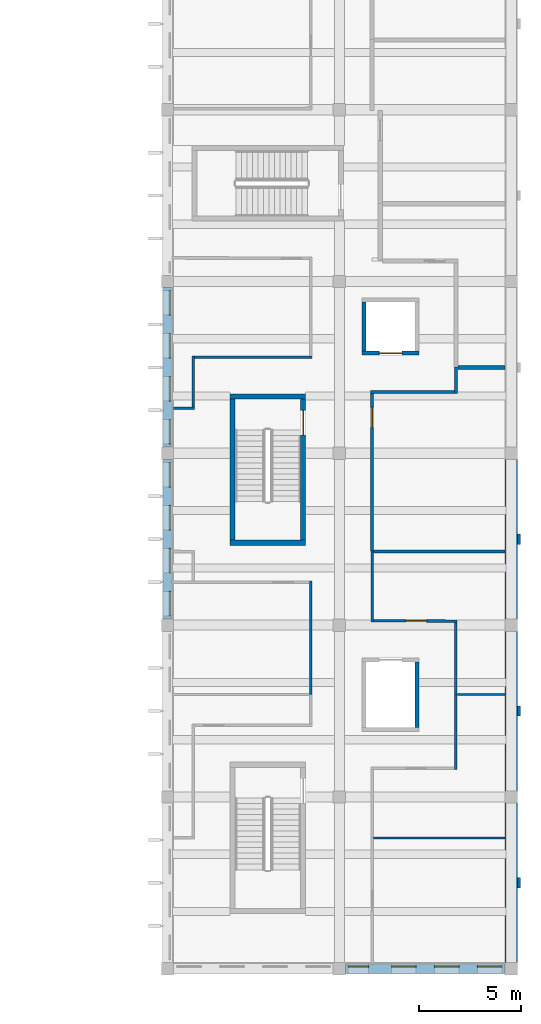
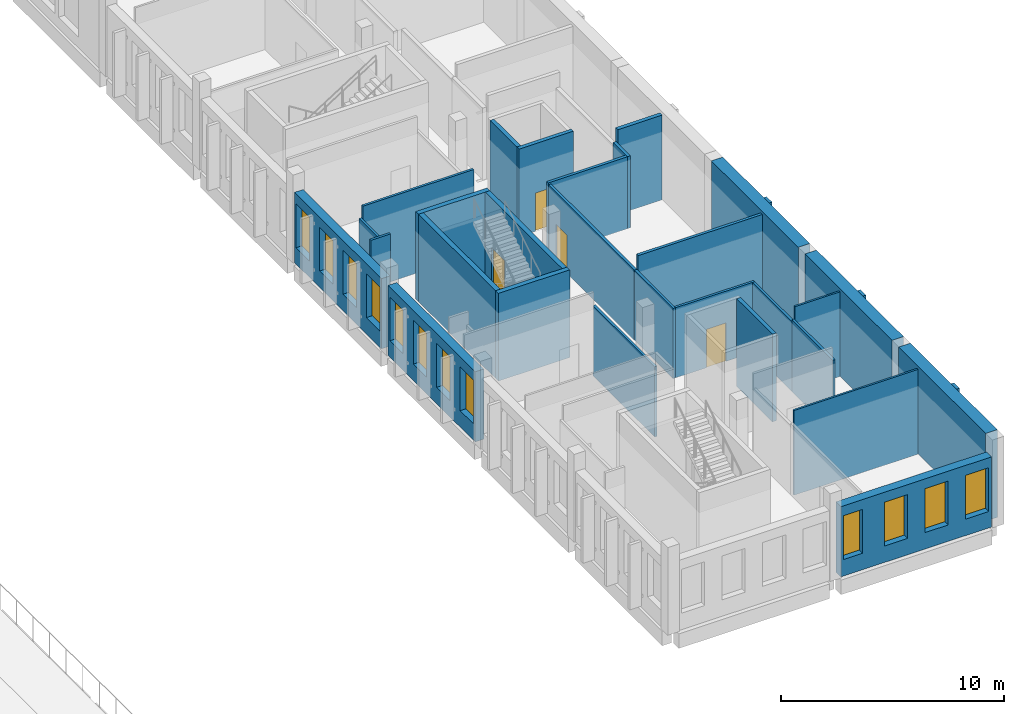
# One storey, part 56 of 103: 31 walls, 12 windows, 4 doors, 16 openings.
"""IFC4 building model written with IfcOpenShell, lengths in metres."""

from ifc_helpers import new_model, si_unit, direction, frame, frame_2d, origin, place, context, subcontext, project, spatial, rectangle, extrude, material, layer, layer_set, type_object, element, fill, save


model = new_model("IFC4")

# Units and contexts
model_context = context("Model", 3, precision=1e-05, world=origin(), true_north=direction((0.0, 1.0)))
body_context = subcontext(model_context, "Body", "Model", "MODEL_VIEW")
ifc_project = project(units=[si_unit("LENGTHUNIT", "METRE"), si_unit("AREAUNIT", "SQUARE_METRE"), si_unit("VOLUMEUNIT", "CUBIC_METRE"), si_unit("PLANEANGLEUNIT", "RADIAN"), si_unit("MASSUNIT", "GRAM", prefix="KILO")], contexts=[model_context])

# Site, building, storey
site_placement = place(None, origin())
site = spatial("IfcSite", under=ifc_project, at=site_placement, CompositionType="ELEMENT")
building_placement = place(site_placement, origin())
building = spatial("IfcBuilding", under=site, at=building_placement, Name="Larchfold Concert Hall", CompositionType="ELEMENT")
storey_placement = place(building_placement, frame((0.0, 0.0, 9.60009765625)))
storey = spatial("IfcBuildingStorey", under=building, at=storey_placement, Name="L02", CompositionType="ELEMENT", Elevation=9.60009765625)

# Walls
ifc_material_1 = material(Name="Plasterboard partition on steel studs", Category="steel")
ifc_layer_1 = layer(ifc_material_1, 0.199951171875)
ifc_layer_set_1 = layer_set([ifc_layer_1], Name="Plasterboard partition on steel studs")
wall_type_1 = type_object("IfcWallType", Name="Acoustic partition 200", PredefinedType="PARTITIONING", material=ifc_layer_set_1)
wall_1_placement = place(storey_placement, frame((98.800048828125, 30.0, 0.0), z_axis=(0.0, 0.0, 1.0), x_axis=(1.0, 0.0, 0.0)))
element("IfcWall", 1, at=wall_1_placement, inside=storey, type_object=wall_type_1, Name="Partition IW0053", PredefinedType="PARTITIONING", context=body_context, shape_type="SweptSolid", body=[
    extrude(rectangle(XDim=2.300048828125, YDim=0.199951171875, at=frame_2d((1.14990234375, 0.0))), origin(), (0.0, 0.0, 1.0), 4.639892578125),
])
ifc_material_2 = material(Name="Plasterboard partition on steel studs", Category="steel")
ifc_layer_2 = layer(ifc_material_2, 0.125)
ifc_layer_set_2 = layer_set([ifc_layer_2], Name="Plasterboard partition on steel studs")
wall_type_2 = type_object("IfcWallType", Name="Corridor partition 125 EI 60", PredefinedType="PARTITIONING", material=ifc_layer_set_2)
wall_2_placement = place(storey_placement, frame((91.60107421875, 14.02001953125, 0.0), z_axis=(0.0, 0.0, 1.0), x_axis=(-0.000396650476, 0.999999921334, 0.0)))
element("IfcWall", 2, at=wall_2_placement, inside=storey, type_object=wall_type_2, Name="Partition IW0020", PredefinedType="PARTITIONING", context=body_context, shape_type="SweptSolid", body=[
    extrude(rectangle(XDim=5.53955078125, YDim=0.125, at=frame_2d((2.769775390625, 0.0))), origin(), (0.0, 0.0, 1.0), 3.840087890625),
])
wall_3_placement = place(storey_placement, frame((98.698974609375, 14.02001953125, 0.0), z_axis=(0.0, 0.0, 1.0), x_axis=(0.0, -1.0, 0.0)))
element("IfcWall", 3, at=wall_3_placement, inside=storey, type_object=wall_type_2, Name="Partition IW0024", PredefinedType="PARTITIONING", context=body_context, shape_type="SweptSolid", body=[
    extrude(rectangle(XDim=3.681640625, YDim=0.125, at=frame_2d((1.8408203125, 0.0))), origin(), (0.0, 0.0, 1.0), 3.939697265625),
])
wall_4_placement = place(storey_placement, frame((94.59912109375, 21.02001953125, 0.0), z_axis=(0.0, 0.0, 1.0), x_axis=(0.0, -1.0, 0.0)))
element("IfcWall", 4, at=wall_4_placement, inside=storey, type_object=wall_type_2, Name="Partition IW0027", PredefinedType="PARTITIONING", context=body_context, shape_type="SweptSolid", body=[
    extrude(rectangle(XDim=3.4736328125, YDim=0.125, at=frame_2d((1.73681640625, 0.0))), origin(), (0.0, 0.0, 1.0), 3.840087890625),
])

# Wall, opening, door
wall_5_placement = place(storey_placement, frame((94.66162109375, 17.60888671875, 0.0), z_axis=(0.0, 0.0, 1.0), x_axis=(0.999997019568, -0.002441486203, 0.0)))
wall_5 = element("IfcWall", 5, at=wall_5_placement, inside=storey, type_object=wall_type_2, Name="Partition IW0028", PredefinedType="PARTITIONING", context=body_context, shape_type="SweptSolid", body=[
    extrude(rectangle(XDim=4.099853515625, YDim=0.125, at=frame_2d((2.0498046875, 0.0))), origin(), (0.0, 0.0, 1.0), 3.840087890625),
])
opening_1_placement = place(wall_5_placement, frame((1.59814453125, 0.0, 0.0)))
opening_1 = element("IfcOpeningElement", 6, at=opening_1_placement, cuts=wall_5, Name="Opening D-L02-112", PredefinedType="OPENING", context=body_context, shape_type="SweptSolid", body=[
    extrude(rectangle(XDim=1.0, YDim=2.10009765625, at=frame_2d((0.5, 1.050048828125))), frame((0.0, 0.072509765625, 0.0), z_axis=(0.0, -1.0, 0.0), x_axis=(1.0, 0.0, 0.0)), (0.0, 0.0, 1.0), 0.14501953125),
])
ifc_material_3 = material(Name="Timber door leaf", Category="wood")
door_type_1 = type_object("IfcDoorType", Name="Room door 1000 x 2100 FD30S", OperationType="SINGLE_SWING_LEFT", PredefinedType="DOOR", material=ifc_material_3)
door_1_placement = place(opening_1_placement, origin())
door_1 = element("IfcDoor", 7, at=door_1_placement, inside=storey, type_object=door_type_1, Name="Door D-L02-112", OperationType="SINGLE_SWING_RIGHT", OverallHeight=2.10009765625, OverallWidth=1.0, PredefinedType="DOOR", context=body_context, shape_type="SweptSolid", body=[
    extrude(rectangle(XDim=1.0, YDim=2.10009765625, at=frame_2d((0.5, 1.050048828125))), frame((0.0, 0.02490234375, 0.0), z_axis=(0.0, -1.0, 0.0), x_axis=(1.0, 0.0, 0.0)), (0.0, 0.0, 1.0), 0.050048828125),
])
fill(opening_1, door_1)

# Walls
wall_6_placement = place(storey_placement, frame((98.698974609375, 17.53662109375, 0.0), z_axis=(0.0, 0.0, 1.0), x_axis=(0.0, -1.0, 0.0)))
element("IfcWall", 8, at=wall_6_placement, inside=storey, type_object=wall_type_2, Name="Partition IW0029", PredefinedType="PARTITIONING", context=body_context, shape_type="SweptSolid", body=[
    extrude(rectangle(XDim=3.5166015625, YDim=0.125, at=frame_2d((1.75830078125, 0.0))), origin(), (0.0, 0.0, 1.0), 3.840087890625),
])
wall_7_placement = place(storey_placement, frame((84.89990234375, 28.0, 0.0), z_axis=(0.0, 0.0, 1.0), x_axis=(0.999980356159, 0.006267957874, 0.0)))
element("IfcWall", 9, at=wall_7_placement, inside=storey, type_object=wall_type_2, Name="Partition IW0033", PredefinedType="PARTITIONING", context=body_context, shape_type="SweptSolid", body=[
    extrude(rectangle(XDim=1.0126953125, YDim=0.125, at=frame_2d((0.50634765625, 0.0))), origin(), (0.0, 0.0, 1.0), 4.639892578125),
])
wall_8_placement = place(storey_placement, frame((85.85009765625, 28.068603515625, 0.0), z_axis=(0.0, 0.0, 1.0), x_axis=(0.000391734374, 0.999999923272, 0.0)))
element("IfcWall", 10, at=wall_8_placement, inside=storey, type_object=wall_type_2, Name="Partition IW0034", PredefinedType="PARTITIONING", context=body_context, shape_type="SweptSolid", body=[
    extrude(rectangle(XDim=2.492919921875, YDim=0.125, at=frame_2d((1.24658203125, 0.0))), origin(), (0.0, 0.0, 1.0), 3.939697265625),
])
wall_9_placement = place(storey_placement, frame((85.91357421875, 30.4990234375, 0.0), z_axis=(0.0, 0.0, 1.0), x_axis=(0.999999942227, 0.00033991925, 0.0)))
element("IfcWall", 11, at=wall_9_placement, inside=storey, type_object=wall_type_2, Name="Partition IW0035", PredefinedType="PARTITIONING", context=body_context, shape_type="SweptSolid", body=[
    extrude(rectangle(XDim=5.745849609375, YDim=0.125, at=frame_2d((2.873046875, 0.0))), origin(), (0.0, 0.0, 1.0), 4.639892578125),
])
ifc_material_4 = material(Name="Plasterboard partition on steel studs", Category="steel")
ifc_layer_3 = layer(ifc_material_4, 0.14990234375)
ifc_layer_set_3 = layer_set([ifc_layer_3], Name="Plasterboard partition on steel studs")
wall_type_3 = type_object("IfcWallType", Name="Shaft and plant partition 150 EI 120", PredefinedType="PARTITIONING", material=ifc_layer_set_3)
wall_10_placement = place(storey_placement, frame((98.698974609375, 30.02001953125, 0.0), z_axis=(0.0, 0.0, 1.0), x_axis=(0.0, -1.0, 0.0)))
element("IfcWall", 12, at=wall_10_placement, inside=storey, type_object=wall_type_3, Name="Partition IW0030", PredefinedType="PARTITIONING", context=body_context, shape_type="SweptSolid", body=[
    extrude(rectangle(XDim=1.2939453125, YDim=0.14990234375, at=frame_2d((0.64697265625, 0.0))), origin(), (0.0, 0.0, 1.0), 3.939697265625),
])
wall_11_placement = place(storey_placement, frame((98.6240234375, 28.80078125, 0.0), z_axis=(0.0, 0.0, 1.0), x_axis=(-0.999997573035, -0.002203162451, 0.0)))
element("IfcWall", 13, at=wall_11_placement, inside=storey, type_object=wall_type_3, Name="Partition IW0031", PredefinedType="PARTITIONING", context=body_context, shape_type="SweptSolid", body=[
    extrude(rectangle(XDim=4.10009765625, YDim=0.14990234375, at=frame_2d((2.050048828125, 0.0))), origin(), (0.0, 0.0, 1.0), 3.939697265625),
])

# Wall, opening, door
wall_12_placement = place(storey_placement, frame((94.59912109375, 28.717041015625, 0.0), z_axis=(0.0, 0.0, 1.0), x_axis=(0.0, -1.0, 0.0)))
wall_12 = element("IfcWall", 14, at=wall_12_placement, inside=storey, type_object=wall_type_3, Name="Partition IW0032", PredefinedType="PARTITIONING", context=body_context, shape_type="SweptSolid", body=[
    extrude(rectangle(XDim=7.697021484375, YDim=0.14990234375, at=frame_2d((3.8486328125, 0.0))), origin(), (0.0, 0.0, 1.0), 3.840087890625),
])
opening_2_placement = place(wall_12_placement, frame((0.6669921875, 0.0, 0.0)))
opening_2 = element("IfcOpeningElement", 15, at=opening_2_placement, cuts=wall_12, Name="Opening D-L02-113", PredefinedType="OPENING", context=body_context, shape_type="SweptSolid", body=[
    extrude(rectangle(XDim=1.0, YDim=2.10009765625, at=frame_2d((0.5, 1.050048828125))), frame((0.0, 0.0849609375, 0.0), z_axis=(0.0, -1.0, 0.0), x_axis=(1.0, 0.0, 0.0)), (0.0, 0.0, 1.0), 0.169921875),
])
ifc_material_5 = material(Name="Timber door leaf", Category="wood")
door_type_2 = type_object("IfcDoorType", Name="Store door 1000 x 2100 FD60", OperationType="SINGLE_SWING_LEFT", PredefinedType="DOOR", material=ifc_material_5)
door_2_placement = place(opening_2_placement, origin())
door_2 = element("IfcDoor", 16, at=door_2_placement, inside=storey, type_object=door_type_2, Name="Door D-L02-113", OperationType="SINGLE_SWING_RIGHT", OverallHeight=2.10009765625, OverallWidth=1.0, PredefinedType="DOOR", context=body_context, shape_type="SweptSolid", body=[
    extrude(rectangle(XDim=1.0, YDim=2.10009765625, at=frame_2d((0.5, 1.050048828125))), frame((0.0, 0.02490234375, 0.0), z_axis=(0.0, -1.0, 0.0), x_axis=(1.0, 0.0, 0.0)), (0.0, 0.0, 1.0), 0.050048828125),
])
fill(opening_2, door_2)

# Walls
wall_13_placement = place(storey_placement, frame((94.675048828125, 21.0, 0.0), z_axis=(0.0, 0.0, 1.0), x_axis=(1.0, 0.0, 0.0)))
element("IfcWall", 17, at=wall_13_placement, inside=storey, type_object=wall_type_3, Name="Partition IW0052", PredefinedType="PARTITIONING", context=body_context, shape_type="SweptSolid", body=[
    extrude(rectangle(XDim=6.425048828125, YDim=0.14990234375, at=frame_2d((3.21240234375, 0.0))), origin(), (0.0, 0.0, 1.0), 4.639892578125),
])
ifc_material_6 = material(Name="Plasterboard partition on steel studs", Category="steel")
ifc_layer_4 = layer(ifc_material_6, 0.10009765625)
ifc_layer_set_4 = layer_set([ifc_layer_4], Name="Plasterboard partition on steel studs")
wall_type_4 = type_object("IfcWallType", Name="Stud partition 100", PredefinedType="PARTITIONING", material=ifc_layer_set_4)
wall_14_placement = place(storey_placement, frame((94.6650390625, 7.0, 0.0), z_axis=(0.0, 0.0, 1.0), x_axis=(1.0, 0.0, 0.0)))
element("IfcWall", 18, at=wall_14_placement, inside=storey, type_object=wall_type_4, Name="Partition IW0049", PredefinedType="PARTITIONING", context=body_context, shape_type="SweptSolid", body=[
    extrude(rectangle(XDim=6.43505859375, YDim=0.10009765625, at=frame_2d((3.217529296875, 0.0))), origin(), (0.0, 0.0, 1.0), 4.639892578125),
])
wall_15_placement = place(storey_placement, frame((98.764892578125, 14.0, 0.0), z_axis=(0.0, 0.0, 1.0), x_axis=(1.0, 0.0, 0.0)))
element("IfcWall", 19, at=wall_15_placement, inside=storey, type_object=wall_type_4, Name="Partition IW0051", PredefinedType="PARTITIONING", context=body_context, shape_type="SweptSolid", body=[
    extrude(rectangle(XDim=2.335205078125, YDim=0.10009765625, at=frame_2d((1.16748046875, 0.0))), origin(), (0.0, 0.0, 1.0), 4.639892578125),
])
ifc_material_7 = material(Name="Concrete C40/50", Category="concrete")
ifc_layer_5 = layer(ifc_material_7, 0.199951171875)
ifc_layer_set_5 = layer_set([ifc_layer_5], Name="Concrete C40/50")
wall_type_5 = type_object("IfcWallType", Name="Wall RC 200 lift shaft", PredefinedType="SOLIDWALL", material=ifc_layer_set_5)
wall_16_placement = place(storey_placement, frame((96.7998046875, 12.39990234375, 0.0), z_axis=(0.0, 0.0, 1.0), x_axis=(0.0, 1.0, 0.0)))
element("IfcWall", 20, at=wall_16_placement, inside=storey, type_object=wall_type_5, Name="Wall W0154", PredefinedType="SOLIDWALL", context=body_context, shape_type="SweptSolid", body=[
    extrude(rectangle(XDim=3.2001953125, YDim=0.199951171875, at=frame_2d((1.60009765625, 0.0))), origin(), (0.0, 0.0, 1.0), 4.7998046875),
])

# Wall, opening, door
wall_17_placement = place(storey_placement, frame((94.10009765625, 30.7001953125, 0.0), z_axis=(0.0, 0.0, 1.0), x_axis=(1.0, 0.0, 0.0)))
wall_17 = element("IfcWall", 21, at=wall_17_placement, inside=storey, type_object=wall_type_5, Name="Wall W0155", PredefinedType="SOLIDWALL", context=body_context, shape_type="SweptSolid", body=[
    extrude(rectangle(XDim=2.7998046875, YDim=0.199951171875, at=frame_2d((1.39990234375, 0.0))), origin(), (0.0, 0.0, 1.0), 4.7998046875),
])
opening_3_placement = place(wall_17_placement, frame((0.849853515625, 0.0, 0.0)))
opening_3 = element("IfcOpeningElement", 22, at=opening_3_placement, cuts=wall_17, Name="Opening LD-LF07", PredefinedType="OPENING", context=body_context, shape_type="SweptSolid", body=[
    extrude(rectangle(XDim=1.10009765625, YDim=2.10009765625, at=frame_2d((0.550048828125, 1.050048828125))), frame((0.0, 0.10986328125, 0.0), z_axis=(0.0, -1.0, 0.0), x_axis=(1.0, 0.0, 0.0)), (0.0, 0.0, 1.0), 0.219970703125),
])
ifc_material_8 = material(Name="Stainless steel sliding leaves", Category="steel")
door_type_3 = type_object("IfcDoorType", Name="Lift landing door sliding 1100 x 2100", OperationType="SLIDING_TO_LEFT", PredefinedType="DOOR", material=ifc_material_8)
door_3_placement = place(opening_3_placement, origin())
door_3 = element("IfcDoor", 23, at=door_3_placement, inside=storey, type_object=door_type_3, Name="Lift landing door LF07", OperationType="SLIDING_TO_LEFT", OverallHeight=2.10009765625, OverallWidth=1.10009765625, PredefinedType="DOOR", context=body_context, shape_type="SweptSolid", body=[
    extrude(rectangle(XDim=1.10009765625, YDim=2.10009765625, at=frame_2d((0.550048828125, 1.050048828125))), frame((0.0, 0.02490234375, 0.0), z_axis=(0.0, -1.0, 0.0), x_axis=(1.0, 0.0, 0.0)), (0.0, 0.0, 1.0), 0.050048828125),
])
fill(opening_3, door_3)

# Walls
wall_18_placement = place(storey_placement, frame((94.2001953125, 30.800048828125, 0.0), z_axis=(0.0, 0.0, 1.0), x_axis=(0.0, 1.0, 0.0)))
element("IfcWall", 24, at=wall_18_placement, inside=storey, type_object=wall_type_5, Name="Wall W0157", PredefinedType="SOLIDWALL", context=body_context, shape_type="SweptSolid", body=[
    extrude(rectangle(XDim=2.39990234375, YDim=0.199951171875, at=frame_2d((1.199951171875, 0.0))), origin(), (0.0, 0.0, 1.0), 4.7998046875),
])
ifc_material_9 = material(Name="Concrete C40/50", Category="concrete")
ifc_layer_6 = layer(ifc_material_9, 0.25)
ifc_layer_set_6 = layer_set([ifc_layer_6], Name="Concrete C40/50")
wall_type_6 = type_object("IfcWallType", Name="Wall RC 250 stair core", PredefinedType="SOLIDWALL", material=ifc_layer_set_6)
for number, where, z_axis, x_axis, name in (
    (25, (87.64990234375, 21.425048828125, 0.0), (0.0, 0.0, 1.0), (1.0, 0.0, 0.0), "Wall W0083"),
    (26, (87.64990234375, 28.574951171875, 0.0), (0.0, 0.0, 1.0), (1.0, 0.0, 0.0), "Wall W0084"),
):
    element("IfcWall", number, at=place(storey_placement, frame(where, z_axis=z_axis, x_axis=x_axis)), inside=storey, type_object=wall_type_6, Name=name, PredefinedType="SOLIDWALL", context=body_context, shape_type="SweptSolid", body=[
        extrude(rectangle(XDim=3.7001953125, YDim=0.25, at=frame_2d((1.85009765625, 0.0))), origin(), (0.0, 0.0, 1.0), 4.7998046875),
    ])
wall_19_placement = place(storey_placement, frame((87.77490234375, 21.550048828125, 0.0), z_axis=(0.0, 0.0, 1.0), x_axis=(0.0, 1.0, 0.0)))
element("IfcWall", 27, at=wall_19_placement, inside=storey, type_object=wall_type_6, Name="Wall W0085", PredefinedType="SOLIDWALL", context=body_context, shape_type="SweptSolid", body=[
    extrude(rectangle(XDim=6.89990234375, YDim=0.25, at=frame_2d((3.449951171875, 0.0))), origin(), (0.0, 0.0, 1.0), 4.7998046875),
])

# Wall, opening, door
wall_20_placement = place(storey_placement, frame((91.22509765625, 21.550048828125, 0.0), z_axis=(0.0, 0.0, 1.0), x_axis=(0.0, 1.0, 0.0)))
wall_20 = element("IfcWall", 28, at=wall_20_placement, inside=storey, type_object=wall_type_6, Name="Wall W0086", PredefinedType="SOLIDWALL", context=body_context, shape_type="SweptSolid", body=[
    extrude(rectangle(XDim=6.89990234375, YDim=0.25, at=frame_2d((3.449951171875, 0.0))), origin(), (0.0, 0.0, 1.0), 4.7998046875),
])
opening_4_placement = place(wall_20_placement, frame((5.14990234375, 0.0, 0.0)))
opening_4 = element("IfcOpeningElement", 29, at=opening_4_placement, cuts=wall_20, Name="Opening D-L02-150", PredefinedType="OPENING", context=body_context, shape_type="SweptSolid", body=[
    extrude(rectangle(XDim=1.199951171875, YDim=2.10009765625, at=frame_2d((0.60009765625, 1.050048828125))), frame((0.0, 0.135009765625, 0.0), z_axis=(0.0, -1.0, 0.0), x_axis=(1.0, 0.0, 0.0)), (0.0, 0.0, 1.0), 0.27001953125),
])
ifc_material_10 = material(Name="Timber door leaf", Category="wood")
door_type_4 = type_object("IfcDoorType", Name="Stair enclosure door pair 1200 x 2100 FD60", OperationType="SINGLE_SWING_LEFT", PredefinedType="DOOR", material=ifc_material_10)
door_4_placement = place(opening_4_placement, origin())
door_4 = element("IfcDoor", 30, at=door_4_placement, inside=storey, type_object=door_type_4, Name="Door D-L02-150", OperationType="DOUBLE_DOOR_SINGLE_SWING", OverallHeight=2.10009765625, OverallWidth=1.199951171875, PredefinedType="DOOR", context=body_context, shape_type="SweptSolid", body=[
    extrude(rectangle(XDim=1.199951171875, YDim=2.10009765625, at=frame_2d((0.60009765625, 1.050048828125))), frame((0.0, 0.02490234375, 0.0), z_axis=(0.0, -1.0, 0.0), x_axis=(1.0, 0.0, 0.0)), (0.0, 0.0, 1.0), 0.050048828125),
])
fill(opening_4, door_4)

# Walls
ifc_material_11 = material(Name="Concrete C40/50", Category="concrete")
ifc_layer_7 = layer(ifc_material_11, 0.60009765625)
ifc_layer_set_7 = layer_set([ifc_layer_7], Name="Concrete C40/50")
wall_type_7 = type_object("IfcWallType", Name="Wall RC 600 party wall", PredefinedType="SOLIDWALL", material=ifc_layer_set_7)
for number, where, z_axis, x_axis, name in (
    (31, (101.39990234375, 0.89990234375, 0.0), (0.0, 0.0, 1.0), (0.0, 1.0, 0.0), "Wall W0020"),
    (32, (101.39990234375, 9.300048828125, 0.0), (0.0, 0.0, 1.0), (0.0, 1.0, 0.0), "Wall W0021"),
    (33, (101.39990234375, 17.699951171875, 0.0), (0.0, 0.0, 1.0), (0.0, 1.0, 0.0), "Wall W0022"),
):
    element("IfcWall", number, at=place(storey_placement, frame(where, z_axis=z_axis, x_axis=x_axis)), inside=storey, type_object=wall_type_7, Name=name, PredefinedType="SOLIDWALL", context=body_context, shape_type="SweptSolid", body=[
        extrude(rectangle(XDim=7.800048828125, YDim=0.60009765625, at=frame_2d((3.89990234375, 0.0))), origin(), (0.0, 0.0, 1.0), 4.7998046875),
    ])

# Wall, openings, windows
ifc_material_12 = material(Name="White render on mineral wool and block")
ifc_layer_8 = layer(ifc_material_12, 0.449951171875)
ifc_layer_set_8 = layer_set([ifc_layer_8], Name="White render on mineral wool and block")
wall_type_8 = type_object("IfcWallType", Name="White render infill wall 450", PredefinedType="SOLIDWALL", material=ifc_layer_set_8)
wall_21_placement = place(storey_placement, frame((84.60009765625, 33.89990234375, 0.0), z_axis=(0.0, 0.0, 1.0), x_axis=(0.0, -1.0, 0.0)))
wall_21 = element("IfcWall", 34, at=wall_21_placement, inside=storey, type_object=wall_type_8, Name="Infill wall W5150", PredefinedType="SOLIDWALL", context=body_context, shape_type="SweptSolid", body=[
    extrude(rectangle(XDim=7.7998046875, YDim=0.449951171875, at=frame_2d((3.89990234375, 0.0))), origin(), (0.0, 0.0, 1.0), 3.840087890625),
])
opening_5_placement = place(wall_21_placement, frame((6.449951171875, 0.0, 0.89990234375)))
opening_5 = element("IfcOpeningElement", 35, at=opening_5_placement, cuts=wall_21, Name="Opening WN-L02-081", PredefinedType="OPENING", context=body_context, shape_type="SweptSolid", body=[
    extrude(rectangle(XDim=1.199951171875, YDim=2.39990234375, at=frame_2d((0.60009765625, 1.199951171875))), frame((0.0, 0.23486328125, 0.0), z_axis=(0.0, -1.0, 0.0), x_axis=(1.0, 0.0, 0.0)), (0.0, 0.0, 1.0), 0.469970703125),
])
opening_6_placement = place(wall_21_placement, frame((4.349853515625, 0.0, 0.89990234375)))
opening_6 = element("IfcOpeningElement", 36, at=opening_6_placement, cuts=wall_21, Name="Opening WN-L02-082", PredefinedType="OPENING", context=body_context, shape_type="SweptSolid", body=[
    extrude(rectangle(XDim=1.199951171875, YDim=2.39990234375, at=frame_2d((0.60009765625, 1.199951171875))), frame((0.0, 0.23486328125, 0.0), z_axis=(0.0, -1.0, 0.0), x_axis=(1.0, 0.0, 0.0)), (0.0, 0.0, 1.0), 0.469970703125),
])
opening_7_placement = place(wall_21_placement, frame((2.25, 0.0, 0.89990234375)))
opening_7 = element("IfcOpeningElement", 37, at=opening_7_placement, cuts=wall_21, Name="Opening WN-L02-083", PredefinedType="OPENING", context=body_context, shape_type="SweptSolid", body=[
    extrude(rectangle(XDim=1.199951171875, YDim=2.39990234375, at=frame_2d((0.60009765625, 1.199951171875))), frame((0.0, 0.23486328125, 0.0), z_axis=(0.0, -1.0, 0.0), x_axis=(1.0, 0.0, 0.0)), (0.0, 0.0, 1.0), 0.469970703125),
])
opening_8_placement = place(wall_21_placement, frame((0.14990234375, 0.0, 0.89990234375)))
opening_8 = element("IfcOpeningElement", 38, at=opening_8_placement, cuts=wall_21, Name="Opening WN-L02-084", PredefinedType="OPENING", context=body_context, shape_type="SweptSolid", body=[
    extrude(rectangle(XDim=1.199951171875, YDim=2.39990234375, at=frame_2d((0.60009765625, 1.199951171875))), frame((0.0, 0.23486328125, 0.0), z_axis=(0.0, -1.0, 0.0), x_axis=(1.0, 0.0, 0.0)), (0.0, 0.0, 1.0), 0.469970703125),
])
ifc_material_13 = material(Name="Anodised graphite aluminium frame with glass", Category="aluminium")
window_type_1 = type_object("IfcWindowType", Name="Slot window 1200x2400", PartitioningType="SINGLE_PANEL", PredefinedType="WINDOW", material=ifc_material_13)
window_1_placement = place(opening_5_placement, origin())
window_1 = element("IfcWindow", 39, at=window_1_placement, inside=storey, type_object=window_type_1, Name="Window WN-L02-081", OverallHeight=2.39990234375, OverallWidth=1.199951171875, PartitioningType="SINGLE_PANEL", PredefinedType="WINDOW", context=body_context, shape_type="SweptSolid", body=[
    extrude(rectangle(XDim=1.199951171875, YDim=2.39990234375, at=frame_2d((0.60009765625, 1.199951171875))), frame((0.0, 0.135009765625, 0.0), z_axis=(0.0, -1.0, 0.0), x_axis=(1.0, 0.0, 0.0)), (0.0, 0.0, 1.0), 0.06005859375),
])
fill(opening_5, window_1)
window_2_placement = place(opening_6_placement, origin())
window_2 = element("IfcWindow", 40, at=window_2_placement, inside=storey, type_object=window_type_1, Name="Window WN-L02-082", OverallHeight=2.39990234375, OverallWidth=1.199951171875, PartitioningType="SINGLE_PANEL", PredefinedType="WINDOW", context=body_context, shape_type="SweptSolid", body=[
    extrude(rectangle(XDim=1.199951171875, YDim=2.39990234375, at=frame_2d((0.60009765625, 1.199951171875))), frame((0.0, 0.135009765625, 0.0), z_axis=(0.0, -1.0, 0.0), x_axis=(1.0, 0.0, 0.0)), (0.0, 0.0, 1.0), 0.06005859375),
])
fill(opening_6, window_2)
window_3_placement = place(opening_7_placement, origin())
window_3 = element("IfcWindow", 41, at=window_3_placement, inside=storey, type_object=window_type_1, Name="Window WN-L02-083", OverallHeight=2.39990234375, OverallWidth=1.199951171875, PartitioningType="SINGLE_PANEL", PredefinedType="WINDOW", context=body_context, shape_type="SweptSolid", body=[
    extrude(rectangle(XDim=1.199951171875, YDim=2.39990234375, at=frame_2d((0.60009765625, 1.199951171875))), frame((0.0, 0.135009765625, 0.0), z_axis=(0.0, -1.0, 0.0), x_axis=(1.0, 0.0, 0.0)), (0.0, 0.0, 1.0), 0.06005859375),
])
fill(opening_7, window_3)
window_4_placement = place(opening_8_placement, origin())
window_4 = element("IfcWindow", 42, at=window_4_placement, inside=storey, type_object=window_type_1, Name="Window WN-L02-084", OverallHeight=2.39990234375, OverallWidth=1.199951171875, PartitioningType="SINGLE_PANEL", PredefinedType="WINDOW", context=body_context, shape_type="SweptSolid", body=[
    extrude(rectangle(XDim=1.199951171875, YDim=2.39990234375, at=frame_2d((0.60009765625, 1.199951171875))), frame((0.0, 0.135009765625, 0.0), z_axis=(0.0, -1.0, 0.0), x_axis=(1.0, 0.0, 0.0)), (0.0, 0.0, 1.0), 0.06005859375),
])
fill(opening_8, window_4)

wall_22_placement = place(storey_placement, frame((84.60009765625, 25.5, 0.0), z_axis=(0.0, 0.0, 1.0), x_axis=(0.0, -1.0, 0.0)))
wall_22 = element("IfcWall", 43, at=wall_22_placement, inside=storey, type_object=wall_type_8, Name="Infill wall W5151", PredefinedType="SOLIDWALL", context=body_context, shape_type="SweptSolid", body=[
    extrude(rectangle(XDim=7.800048828125, YDim=0.449951171875, at=frame_2d((3.89990234375, 0.0))), origin(), (0.0, 0.0, 1.0), 3.840087890625),
])
opening_9_placement = place(wall_22_placement, frame((6.449951171875, 0.0, 0.89990234375)))
opening_9 = element("IfcOpeningElement", 44, at=opening_9_placement, cuts=wall_22, Name="Opening WN-L02-085", PredefinedType="OPENING", context=body_context, shape_type="SweptSolid", body=[
    extrude(rectangle(XDim=1.199951171875, YDim=2.39990234375, at=frame_2d((0.60009765625, 1.199951171875))), frame((0.0, 0.23486328125, 0.0), z_axis=(0.0, -1.0, 0.0), x_axis=(1.0, 0.0, 0.0)), (0.0, 0.0, 1.0), 0.469970703125),
])
opening_10_placement = place(wall_22_placement, frame((4.35009765625, 0.0, 0.89990234375)))
opening_10 = element("IfcOpeningElement", 45, at=opening_10_placement, cuts=wall_22, Name="Opening WN-L02-086", PredefinedType="OPENING", context=body_context, shape_type="SweptSolid", body=[
    extrude(rectangle(XDim=1.199951171875, YDim=2.39990234375, at=frame_2d((0.60009765625, 1.199951171875))), frame((0.0, 0.23486328125, 0.0), z_axis=(0.0, -1.0, 0.0), x_axis=(1.0, 0.0, 0.0)), (0.0, 0.0, 1.0), 0.469970703125),
])
opening_11_placement = place(wall_22_placement, frame((2.25, 0.0, 0.89990234375)))
opening_11 = element("IfcOpeningElement", 46, at=opening_11_placement, cuts=wall_22, Name="Opening WN-L02-087", PredefinedType="OPENING", context=body_context, shape_type="SweptSolid", body=[
    extrude(rectangle(XDim=1.199951171875, YDim=2.39990234375, at=frame_2d((0.60009765625, 1.199951171875))), frame((0.0, 0.23486328125, 0.0), z_axis=(0.0, -1.0, 0.0), x_axis=(1.0, 0.0, 0.0)), (0.0, 0.0, 1.0), 0.469970703125),
])
opening_12_placement = place(wall_22_placement, frame((0.14990234375, 0.0, 0.89990234375)))
opening_12 = element("IfcOpeningElement", 47, at=opening_12_placement, cuts=wall_22, Name="Opening WN-L02-088", PredefinedType="OPENING", context=body_context, shape_type="SweptSolid", body=[
    extrude(rectangle(XDim=1.199951171875, YDim=2.39990234375, at=frame_2d((0.60009765625, 1.199951171875))), frame((0.0, 0.23486328125, 0.0), z_axis=(0.0, -1.0, 0.0), x_axis=(1.0, 0.0, 0.0)), (0.0, 0.0, 1.0), 0.469970703125),
])
window_5_placement = place(opening_9_placement, origin())
window_5 = element("IfcWindow", 48, at=window_5_placement, inside=storey, type_object=window_type_1, Name="Window WN-L02-085", OverallHeight=2.39990234375, OverallWidth=1.199951171875, PartitioningType="SINGLE_PANEL", PredefinedType="WINDOW", context=body_context, shape_type="SweptSolid", body=[
    extrude(rectangle(XDim=1.199951171875, YDim=2.39990234375, at=frame_2d((0.60009765625, 1.199951171875))), frame((0.0, 0.135009765625, 0.0), z_axis=(0.0, -1.0, 0.0), x_axis=(1.0, 0.0, 0.0)), (0.0, 0.0, 1.0), 0.06005859375),
])
fill(opening_9, window_5)
window_6_placement = place(opening_10_placement, origin())
window_6 = element("IfcWindow", 49, at=window_6_placement, inside=storey, type_object=window_type_1, Name="Window WN-L02-086", OverallHeight=2.39990234375, OverallWidth=1.199951171875, PartitioningType="SINGLE_PANEL", PredefinedType="WINDOW", context=body_context, shape_type="SweptSolid", body=[
    extrude(rectangle(XDim=1.199951171875, YDim=2.39990234375, at=frame_2d((0.60009765625, 1.199951171875))), frame((0.0, 0.135009765625, 0.0), z_axis=(0.0, -1.0, 0.0), x_axis=(1.0, 0.0, 0.0)), (0.0, 0.0, 1.0), 0.06005859375),
])
fill(opening_10, window_6)
window_7_placement = place(opening_11_placement, origin())
window_7 = element("IfcWindow", 50, at=window_7_placement, inside=storey, type_object=window_type_1, Name="Window WN-L02-087", OverallHeight=2.39990234375, OverallWidth=1.199951171875, PartitioningType="SINGLE_PANEL", PredefinedType="WINDOW", context=body_context, shape_type="SweptSolid", body=[
    extrude(rectangle(XDim=1.199951171875, YDim=2.39990234375, at=frame_2d((0.60009765625, 1.199951171875))), frame((0.0, 0.135009765625, 0.0), z_axis=(0.0, -1.0, 0.0), x_axis=(1.0, 0.0, 0.0)), (0.0, 0.0, 1.0), 0.06005859375),
])
fill(opening_11, window_7)
window_8_placement = place(opening_12_placement, origin())
window_8 = element("IfcWindow", 51, at=window_8_placement, inside=storey, type_object=window_type_1, Name="Window WN-L02-088", OverallHeight=2.39990234375, OverallWidth=1.199951171875, PartitioningType="SINGLE_PANEL", PredefinedType="WINDOW", context=body_context, shape_type="SweptSolid", body=[
    extrude(rectangle(XDim=1.199951171875, YDim=2.39990234375, at=frame_2d((0.60009765625, 1.199951171875))), frame((0.0, 0.135009765625, 0.0), z_axis=(0.0, -1.0, 0.0), x_axis=(1.0, 0.0, 0.0)), (0.0, 0.0, 1.0), 0.06005859375),
])
fill(opening_12, window_8)

wall_23_placement = place(storey_placement, frame((93.300048828125, 0.60009765625, 0.0), z_axis=(0.0, 0.0, 1.0), x_axis=(1.0, 0.0, 0.0)))
wall_23 = element("IfcWall", 52, at=wall_23_placement, inside=storey, type_object=wall_type_8, Name="Infill wall W5155", PredefinedType="SOLIDWALL", context=body_context, shape_type="SweptSolid", body=[
    extrude(rectangle(XDim=7.7998046875, YDim=0.449951171875, at=frame_2d((3.89990234375, 0.0))), origin(), (0.0, 0.0, 1.0), 3.840087890625),
])
opening_13_placement = place(wall_23_placement, frame((0.128662109375, 0.0, 0.89990234375)))
opening_13 = element("IfcOpeningElement", 53, at=opening_13_placement, cuts=wall_23, Name="Opening WN-L02-101", PredefinedType="OPENING", context=body_context, shape_type="SweptSolid", body=[
    extrude(rectangle(XDim=1.0, YDim=2.39990234375, at=frame_2d((0.5, 1.199951171875))), frame((0.0, 0.23486328125, 0.0), z_axis=(0.0, -1.0, 0.0), x_axis=(1.0, 0.0, 0.0)), (0.0, 0.0, 1.0), 0.469970703125),
])
opening_14_placement = place(wall_23_placement, frame((2.25, 0.0, 0.89990234375)))
opening_14 = element("IfcOpeningElement", 54, at=opening_14_placement, cuts=wall_23, Name="Opening WN-L02-102", PredefinedType="OPENING", context=body_context, shape_type="SweptSolid", body=[
    extrude(rectangle(XDim=1.199951171875, YDim=2.39990234375, at=frame_2d((0.60009765625, 1.199951171875))), frame((0.0, 0.23486328125, 0.0), z_axis=(0.0, -1.0, 0.0), x_axis=(1.0, 0.0, 0.0)), (0.0, 0.0, 1.0), 0.469970703125),
])
opening_15_placement = place(wall_23_placement, frame((4.349853515625, 0.0, 0.89990234375)))
opening_15 = element("IfcOpeningElement", 55, at=opening_15_placement, cuts=wall_23, Name="Opening WN-L02-103", PredefinedType="OPENING", context=body_context, shape_type="SweptSolid", body=[
    extrude(rectangle(XDim=1.199951171875, YDim=2.39990234375, at=frame_2d((0.60009765625, 1.199951171875))), frame((0.0, 0.23486328125, 0.0), z_axis=(0.0, -1.0, 0.0), x_axis=(1.0, 0.0, 0.0)), (0.0, 0.0, 1.0), 0.469970703125),
])
opening_16_placement = place(wall_23_placement, frame((6.449951171875, 0.0, 0.89990234375)))
opening_16 = element("IfcOpeningElement", 56, at=opening_16_placement, cuts=wall_23, Name="Opening WN-L02-104", PredefinedType="OPENING", context=body_context, shape_type="SweptSolid", body=[
    extrude(rectangle(XDim=1.199951171875, YDim=2.39990234375, at=frame_2d((0.60009765625, 1.199951171875))), frame((0.0, 0.23486328125, 0.0), z_axis=(0.0, -1.0, 0.0), x_axis=(1.0, 0.0, 0.0)), (0.0, 0.0, 1.0), 0.469970703125),
])
ifc_material_14 = material(Name="Anodised graphite aluminium frame with glass", Category="aluminium")
window_type_2 = type_object("IfcWindowType", Name="Slot window 1000x2400", PartitioningType="SINGLE_PANEL", PredefinedType="WINDOW", material=ifc_material_14)
window_9_placement = place(opening_13_placement, origin())
window_9 = element("IfcWindow", 57, at=window_9_placement, inside=storey, type_object=window_type_2, Name="Window WN-L02-101", OverallHeight=2.39990234375, OverallWidth=1.0, PartitioningType="SINGLE_PANEL", PredefinedType="WINDOW", context=body_context, shape_type="SweptSolid", body=[
    extrude(rectangle(XDim=1.0, YDim=2.39990234375, at=frame_2d((0.5, 1.199951171875))), frame((0.0, 0.135009765625, 0.0), z_axis=(0.0, -1.0, 0.0), x_axis=(1.0, 0.0, 0.0)), (0.0, 0.0, 1.0), 0.06005859375),
])
fill(opening_13, window_9)
window_10_placement = place(opening_14_placement, origin())
window_10 = element("IfcWindow", 58, at=window_10_placement, inside=storey, type_object=window_type_1, Name="Window WN-L02-102", OverallHeight=2.39990234375, OverallWidth=1.199951171875, PartitioningType="SINGLE_PANEL", PredefinedType="WINDOW", context=body_context, shape_type="SweptSolid", body=[
    extrude(rectangle(XDim=1.199951171875, YDim=2.39990234375, at=frame_2d((0.60009765625, 1.199951171875))), frame((0.0, 0.135009765625, 0.0), z_axis=(0.0, -1.0, 0.0), x_axis=(1.0, 0.0, 0.0)), (0.0, 0.0, 1.0), 0.06005859375),
])
fill(opening_14, window_10)
window_11_placement = place(opening_15_placement, origin())
window_11 = element("IfcWindow", 59, at=window_11_placement, inside=storey, type_object=window_type_1, Name="Window WN-L02-103", OverallHeight=2.39990234375, OverallWidth=1.199951171875, PartitioningType="SINGLE_PANEL", PredefinedType="WINDOW", context=body_context, shape_type="SweptSolid", body=[
    extrude(rectangle(XDim=1.199951171875, YDim=2.39990234375, at=frame_2d((0.60009765625, 1.199951171875))), frame((0.0, 0.135009765625, 0.0), z_axis=(0.0, -1.0, 0.0), x_axis=(1.0, 0.0, 0.0)), (0.0, 0.0, 1.0), 0.06005859375),
])
fill(opening_15, window_11)
window_12_placement = place(opening_16_placement, origin())
window_12 = element("IfcWindow", 60, at=window_12_placement, inside=storey, type_object=window_type_1, Name="Window WN-L02-104", OverallHeight=2.39990234375, OverallWidth=1.199951171875, PartitioningType="SINGLE_PANEL", PredefinedType="WINDOW", context=body_context, shape_type="SweptSolid", body=[
    extrude(rectangle(XDim=1.199951171875, YDim=2.39990234375, at=frame_2d((0.60009765625, 1.199951171875))), frame((0.0, 0.135009765625, 0.0), z_axis=(0.0, -1.0, 0.0), x_axis=(1.0, 0.0, 0.0)), (0.0, 0.0, 1.0), 0.06005859375),
])
fill(opening_16, window_12)

# Walls
ifc_material_15 = material(Name="White render on insulated block")
ifc_layer_9 = layer(ifc_material_15, 0.14990234375)
ifc_layer_set_9 = layer_set([ifc_layer_9], Name="White render on insulated block")
wall_type_9 = type_object("IfcWallType", Name="White render pilaster 150", PredefinedType="SOLIDWALL", material=ifc_layer_set_9)
for number, where, z_axis, x_axis, name in (
    (61, (101.77490234375, 4.550048828125, 0.0), (0.0, 0.0, 1.0), (0.0, 1.0, 0.0), "Pilaster W5352"),
    (62, (101.77490234375, 12.949951171875, 0.0), (0.0, 0.0, 1.0), (0.0, 1.0, 0.0), "Pilaster W5353"),
    (63, (101.77490234375, 21.35009765625, 0.0), (0.0, 0.0, 1.0), (0.0, 1.0, 0.0), "Pilaster W5354"),
):
    element("IfcWall", number, at=place(storey_placement, frame(where, z_axis=z_axis, x_axis=x_axis)), inside=storey, type_object=wall_type_9, Name=name, PredefinedType="SOLIDWALL", context=body_context, shape_type="SweptSolid", body=[
        extrude(rectangle(XDim=0.5, YDim=0.14990234375, at=frame_2d((0.25, 0.0))), origin(), (0.0, 0.0, 1.0), 4.7998046875),
    ])

save(model, "model.ifc")
